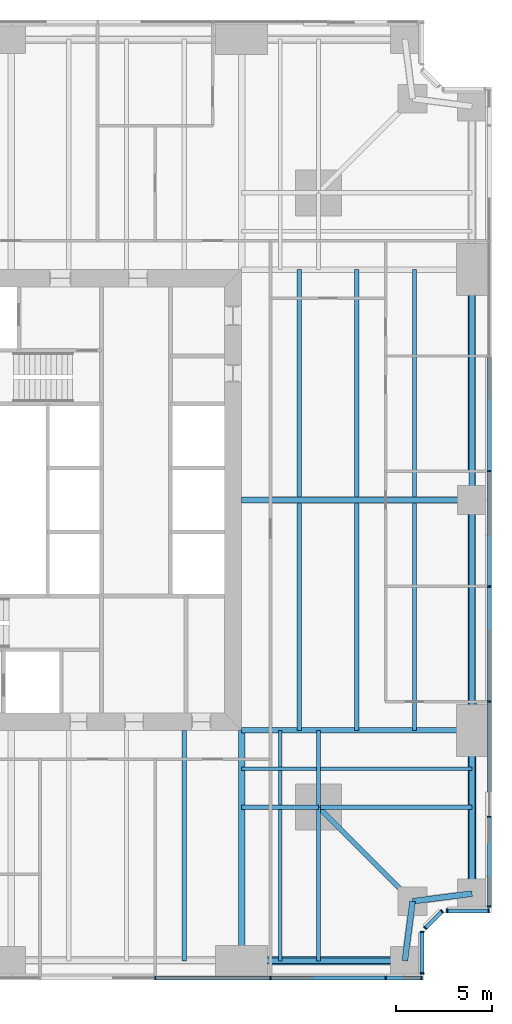
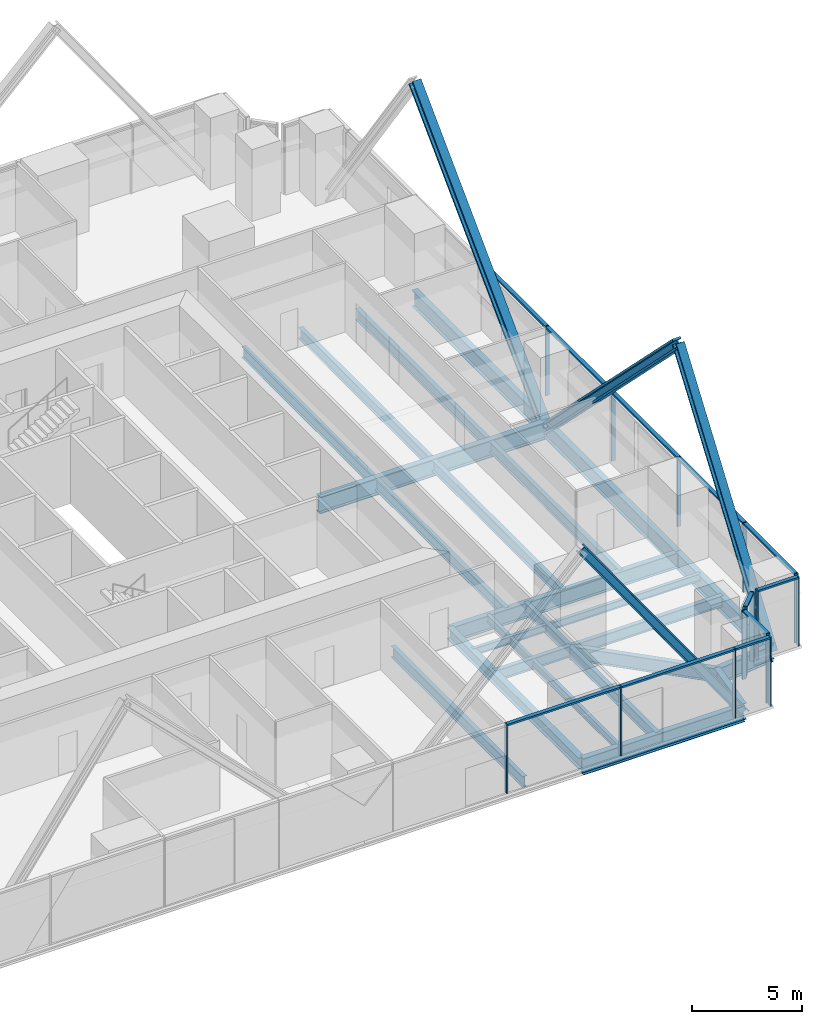
# One storey, part 5 of 13: 30 members, 26 beams, 5 elements without a shape of their own.
"""IFC4 building model written with IfcOpenShell, lengths in metres."""

from ifc_helpers import new_model, si_unit, direction, frame, origin, origin_2d, place, context, subcontext, project, spatial, rectangle, i_section, extrude, material, material_profile, profile_set, type_object, element, aggregate, save


model = new_model("IFC4")

# Units and contexts
model_context = context("Model", 3, precision=1e-05, world=origin(), true_north=direction((0.0, 1.0)))
body_context = subcontext(model_context, "Body", "Model", "MODEL_VIEW")
ifc_project = project(units=[si_unit("LENGTHUNIT", "METRE"), si_unit("AREAUNIT", "SQUARE_METRE"), si_unit("VOLUMEUNIT", "CUBIC_METRE"), si_unit("PLANEANGLEUNIT", "RADIAN"), si_unit("MASSUNIT", "GRAM", prefix="KILO")], contexts=[model_context])

# Site, building, storey
site_placement = place(None, origin())
site = spatial("IfcSite", under=ifc_project, at=site_placement, CompositionType="ELEMENT")
building_placement = place(site_placement, origin())
building = spatial("IfcBuilding", under=site, at=building_placement, Name="Fenwick Lantern Interchange", CompositionType="ELEMENT")
storey_placement = place(building_placement, frame((0.0, 0.0, 43.0)))
storey = spatial("IfcBuildingStorey", under=building, at=storey_placement, Name="L09", CompositionType="ELEMENT", Elevation=43.0)

# Beams
ifc_material_1 = material(Name="Steel ASTM A992 Grade 50", Category="steel")
ifc_material_profile_1 = material_profile(ifc_material_1, i_section(OverallWidth=0.3046875, OverallDepth=0.911865234375, WebThickness=0.015869140625, FlangeThickness=0.02392578125, at=origin_2d()), Name="W36X150")
ifc_profile_set_1 = profile_set([ifc_material_profile_1], Name="Steel ASTM A992 Grade 50")
beam_type_1 = type_object("IfcBeamType", Name="EDGE BEAM W36X150", PredefinedType="SPANDREL", material=ifc_profile_set_1)
beam_1_placement = place(storey_placement, frame((37.0, 1.0, -0.60595703125), z_axis=(1.0, 0.0, 0.0), x_axis=(0.0, 1.0, 0.0)))
element("IfcBeam", 1, at=beam_1_placement, inside=storey, type_object=beam_type_1, Name="L09/FR/S/EB4", PredefinedType="SPANDREL", context=body_context, shape_type="SweptSolid", body=[
    extrude(i_section(OverallWidth=0.3046875, OverallDepth=0.911865234375, WebThickness=0.015869140625, FlangeThickness=0.02392578125, at=origin_2d()), origin(), (0.0, 0.0, 1.0), 8.5),
])
for number, where, z_axis, x_axis, name in (
    (2, (45.5, 1.0, -0.60595703125), (0.127936641807, 0.991782342897, 0.0), (-0.991782342897, 0.127936641807, 0.0), "L09/FR/S/EBR1"),
    (3, (45.89990234375, 4.10009765625, -0.60595703125), (0.991782342897, 0.127936641807, 0.0), (-0.127936641807, 0.991782342897, 0.0), "L09/FR/S/EBR2"),
):
    element("IfcBeam", number, at=place(storey_placement, frame(where, z_axis=z_axis, x_axis=x_axis)), inside=storey, type_object=beam_type_1, Name=name, PredefinedType="SPANDREL", context=body_context, shape_type="SweptSolid", body=[
        extrude(i_section(OverallWidth=0.3046875, OverallDepth=0.911865234375, WebThickness=0.015869140625, FlangeThickness=0.02392578125, at=origin_2d()), origin(), (0.0, 0.0, 1.0), 3.125732421875),
    ])
beam_2_placement = place(storey_placement, frame((49.0, 4.5, -0.60595703125), z_axis=(0.0, 1.0, 0.0), x_axis=(-1.0, 0.0, 0.0)))
element("IfcBeam", 4, at=beam_2_placement, inside=storey, type_object=beam_type_1, Name="L09/FR/E/EB1", PredefinedType="SPANDREL", context=body_context, shape_type="SweptSolid", body=[
    extrude(i_section(OverallWidth=0.3046875, OverallDepth=0.911865234375, WebThickness=0.015869140625, FlangeThickness=0.02392578125, at=origin_2d()), origin(), (0.0, 0.0, 1.0), 8.5),
])
for number, where, z_axis, x_axis, name in (
    (5, (49.0, 13.0, -0.60595703125), (0.0, 1.0, 0.0), (-1.0, 0.0, 0.0), "L09/FR/E/EB2"),
    (6, (49.0, 25.0, -0.60595703125), (0.0, 1.0, 0.0), (-1.0, 0.0, 0.0), "L09/FR/E/EB3"),
):
    element("IfcBeam", number, at=place(storey_placement, frame(where, z_axis=z_axis, x_axis=x_axis)), inside=storey, type_object=beam_type_1, Name=name, PredefinedType="SPANDREL", context=body_context, shape_type="SweptSolid", body=[
        extrude(i_section(OverallWidth=0.3046875, OverallDepth=0.911865234375, WebThickness=0.015869140625, FlangeThickness=0.02392578125, at=origin_2d()), origin(), (0.0, 0.0, 1.0), 12.0),
    ])

# Members
ifc_material_profile_2 = material_profile(ifc_material_1, i_section(OverallWidth=0.424072265625, OverallDepth=0.47509765625, WebThickness=0.0478515625, FlangeThickness=0.0771484375, at=origin_2d()), Name="W14X426")
ifc_profile_set_2 = profile_set([ifc_material_profile_2], Name="Steel ASTM A992 Grade 50")
member_type_1 = type_object("IfcMemberType", Name="FACADE BRACE W14X426", PredefinedType="BRACE", material=ifc_profile_set_2)
for number, where, z_axis, x_axis, name in (
    (7, (45.5, 1.0, -0.60595703125), (-0.57801734078, 0.0, 0.816024481102), (0.0, -1.0, 0.0), "L09/FB/S/BE"),
    (8, (49.0, 4.5, -0.60595703125), (0.0, 0.57801734078, 0.816024481102), (-1.0, 0.0, 0.0), "L09/FB/E/AE"),
):
    element("IfcMember", number, at=place(storey_placement, frame(where, z_axis=z_axis, x_axis=x_axis)), inside=storey, type_object=member_type_1, Name=name, PredefinedType="BRACE", context=body_context, shape_type="SweptSolid", body=[
        extrude(i_section(OverallWidth=0.424072265625, OverallDepth=0.47509765625, WebThickness=0.0478515625, FlangeThickness=0.0771484375, at=origin_2d()), origin(), (0.0, 0.0, 1.0), 14.705322265625),
    ])
ifc_material_profile_3 = material_profile(ifc_material_1, i_section(OverallWidth=0.44189453125, OverallDepth=0.53076171875, WebThickness=0.06591796875, FlangeThickness=0.105712890625, at=origin_2d()), Name="W14X605")
ifc_profile_set_3 = profile_set([ifc_material_profile_3], Name="Steel ASTM A992 Grade 50")
member_type_2 = type_object("IfcMemberType", Name="FACADE BRACE W14X605", PredefinedType="BRACE", material=ifc_profile_set_3)
for number, where, z_axis, x_axis, name in (
    (9, (49.0, 25.0, -0.60595703125), (0.0, -0.707106781187, 0.707106781187), (1.0, 0.0, 0.0), "L09/FB/E/A"),
    (10, (49.0, 25.0, -0.60595703125), (0.0, 0.707106781187, 0.707106781187), (-1.0, 0.0, 0.0), "L09/FB/E/B"),
):
    element("IfcMember", number, at=place(storey_placement, frame(where, z_axis=z_axis, x_axis=x_axis)), inside=storey, type_object=member_type_2, Name=name, PredefinedType="BRACE", context=body_context, shape_type="SweptSolid", body=[
        extrude(i_section(OverallWidth=0.44189453125, OverallDepth=0.53076171875, WebThickness=0.06591796875, FlangeThickness=0.105712890625, at=origin_2d()), origin(), (0.0, 0.0, 1.0), 16.970458984375),
    ])

# Beams
ifc_material_profile_4 = material_profile(ifc_material_1, i_section(OverallWidth=0.22900390625, OverallDepth=0.612060546875, WebThickness=0.011962890625, FlangeThickness=0.01953125, at=origin_2d()), Name="W24X84")
ifc_profile_set_4 = profile_set([ifc_material_profile_4], Name="Steel ASTM A992 Grade 50")
beam_type_2 = type_object("IfcBeamType", Name="FLOOR BEAM W24X84", PredefinedType="BEAM", material=ifc_profile_set_4)
beam_3_placement = place(storey_placement, frame((34.0, 1.0, -0.4560546875), z_axis=(0.0, 1.0, 0.0), x_axis=(-1.0, 0.0, 0.0)))
element("IfcBeam", 11, at=beam_3_placement, inside=storey, type_object=beam_type_2, Name="L09/FR/S/R08", PredefinedType="BEAM", context=body_context, shape_type="SweptSolid", body=[
    extrude(i_section(OverallWidth=0.22900390625, OverallDepth=0.612060546875, WebThickness=0.011962890625, FlangeThickness=0.01953125, at=origin_2d()), origin(), (0.0, 0.0, 1.0), 12.0),
])
for number, where, z_axis, x_axis, name in (
    (12, (46.0, 13.0, -0.4560546875), (0.0, 1.0, 0.0), (-1.0, 0.0, 0.0), "L09/FR/E/B01"),
    (13, (43.0, 13.0, -0.4560546875), (0.0, 1.0, 0.0), (-1.0, 0.0, 0.0), "L09/FR/E/B02"),
    (14, (40.0, 13.0, -0.4560546875), (0.0, 1.0, 0.0), (-1.0, 0.0, 0.0), "L09/FR/E/B03"),
    (15, (46.0, 25.155029296875, -0.4560546875), (0.0, 1.0, 0.0), (-1.0, 0.0, 0.0), "L09/FR/E/B04"),
    (16, (43.0, 25.155029296875, -0.4560546875), (0.0, 1.0, 0.0), (-1.0, 0.0, 0.0), "L09/FR/E/B05"),
    (17, (40.0, 25.155029296875, -0.4560546875), (0.0, 1.0, 0.0), (-1.0, 0.0, 0.0), "L09/FR/E/B06"),
):
    element("IfcBeam", number, at=place(storey_placement, frame(where, z_axis=z_axis, x_axis=x_axis)), inside=storey, type_object=beam_type_2, Name=name, PredefinedType="BEAM", context=body_context, shape_type="SweptSolid", body=[
        extrude(i_section(OverallWidth=0.22900390625, OverallDepth=0.612060546875, WebThickness=0.011962890625, FlangeThickness=0.01953125, at=origin_2d()), origin(), (0.0, 0.0, 1.0), 11.844970703125),
    ])
ifc_material_profile_5 = material_profile(ifc_material_1, i_section(OverallWidth=0.177734375, OverallDepth=0.406494140625, WebThickness=0.0078125, FlangeThickness=0.012939453125, at=origin_2d()), Name="W16X40")
ifc_profile_set_5 = profile_set([ifc_material_profile_5], Name="Steel ASTM A992 Grade 50")
beam_type_3 = type_object("IfcBeamType", Name="INFILL BEAM W16X40", PredefinedType="JOIST", material=ifc_profile_set_5)
beam_4_placement = place(storey_placement, frame((49.0, 11.0, -0.353271484375), z_axis=(-1.0, 0.0, 0.0), x_axis=(0.0, -1.0, 0.0)))
element("IfcBeam", 18, at=beam_4_placement, inside=storey, type_object=beam_type_3, Name="L09/FR/E/J1", PredefinedType="JOIST", context=body_context, shape_type="SweptSolid", body=[
    extrude(i_section(OverallWidth=0.177734375, OverallDepth=0.406494140625, WebThickness=0.0078125, FlangeThickness=0.012939453125, at=origin_2d()), origin(), (0.0, 0.0, 1.0), 7.885498046875),
])
beam_5_placement = place(storey_placement, frame((40.885498046875, 11.0, -0.353271484375), z_axis=(-1.0, 0.0, 0.0), x_axis=(0.0, -1.0, 0.0)))
element("IfcBeam", 19, at=beam_5_placement, inside=storey, type_object=beam_type_3, Name="L09/FR/E/J2", PredefinedType="JOIST", context=body_context, shape_type="SweptSolid", body=[
    extrude(i_section(OverallWidth=0.177734375, OverallDepth=0.406494140625, WebThickness=0.0078125, FlangeThickness=0.012939453125, at=origin_2d()), origin(), (0.0, 0.0, 1.0), 3.885498046875),
])
beam_6_placement = place(storey_placement, frame((39.0, 1.0, -0.353271484375), z_axis=(0.0, 1.0, 0.0), x_axis=(-1.0, 0.0, 0.0)))
element("IfcBeam", 20, at=beam_6_placement, inside=storey, type_object=beam_type_3, Name="L09/FR/E/J3", PredefinedType="JOIST", context=body_context, shape_type="SweptSolid", body=[
    extrude(i_section(OverallWidth=0.177734375, OverallDepth=0.406494140625, WebThickness=0.0078125, FlangeThickness=0.012939453125, at=origin_2d()), origin(), (0.0, 0.0, 1.0), 7.885498046875),
])
beam_7_placement = place(storey_placement, frame((39.0, 9.114501953125, -0.353271484375), z_axis=(0.0, 1.0, 0.0), x_axis=(-1.0, 0.0, 0.0)))
element("IfcBeam", 21, at=beam_7_placement, inside=storey, type_object=beam_type_3, Name="L09/FR/E/J4", PredefinedType="JOIST", context=body_context, shape_type="SweptSolid", body=[
    extrude(i_section(OverallWidth=0.177734375, OverallDepth=0.406494140625, WebThickness=0.0078125, FlangeThickness=0.012939453125, at=origin_2d()), origin(), (0.0, 0.0, 1.0), 1.796630859375),
])
beam_8_placement = place(storey_placement, frame((39.0, 11.0888671875, -0.353271484375), z_axis=(0.0, 1.0, 0.0), x_axis=(-1.0, 0.0, 0.0)))
element("IfcBeam", 22, at=beam_8_placement, inside=storey, type_object=beam_type_3, Name="L09/FR/E/J5", PredefinedType="JOIST", context=body_context, shape_type="SweptSolid", body=[
    extrude(i_section(OverallWidth=0.177734375, OverallDepth=0.406494140625, WebThickness=0.0078125, FlangeThickness=0.012939453125, at=origin_2d()), origin(), (0.0, 0.0, 1.0), 1.9111328125),
])
ifc_material_profile_6 = material_profile(ifc_material_1, i_section(OverallWidth=0.22900390625, OverallDepth=0.612060546875, WebThickness=0.011962890625, FlangeThickness=0.01953125, at=origin_2d()), Name="W24X84")
ifc_profile_set_6 = profile_set([ifc_material_profile_6], Name="Steel ASTM A992 Grade 50")
beam_type_4 = type_object("IfcBeamType", Name="MEGA COLUMN BEAM W24X84", PredefinedType="BEAM", material=ifc_profile_set_6)
for number, where, z_axis, x_axis, name in (
    (23, (41.0, 9.0, -0.4560546875), (1.0, 0.0, 0.0), (0.0, 1.0, 0.0), "L09/FR/E/MB1"),
    (24, (41.0, 9.0, -0.4560546875), (0.0, -1.0, 0.0), (1.0, 0.0, 0.0), "L09/FR/E/MB2"),
):
    element("IfcBeam", number, at=place(storey_placement, frame(where, z_axis=z_axis, x_axis=x_axis)), inside=storey, type_object=beam_type_4, Name=name, PredefinedType="BEAM", context=body_context, shape_type="SweptSolid", body=[
        extrude(i_section(OverallWidth=0.22900390625, OverallDepth=0.612060546875, WebThickness=0.011962890625, FlangeThickness=0.01953125, at=origin_2d()), origin(), (0.0, 0.0, 1.0), 8.0),
    ])
for number, where, z_axis, x_axis, name in (
    (25, (41.0, 9.0, -0.4560546875), (0.0, 1.0, 0.0), (-1.0, 0.0, 0.0), "L09/FR/E/MB3"),
    (26, (41.0, 9.0, -0.4560546875), (-1.0, 0.0, 0.0), (0.0, -1.0, 0.0), "L09/FR/E/MB4"),
):
    element("IfcBeam", number, at=place(storey_placement, frame(where, z_axis=z_axis, x_axis=x_axis)), inside=storey, type_object=beam_type_4, Name=name, PredefinedType="BEAM", context=body_context, shape_type="SweptSolid", body=[
        extrude(i_section(OverallWidth=0.22900390625, OverallDepth=0.612060546875, WebThickness=0.011962890625, FlangeThickness=0.01953125, at=origin_2d()), origin(), (0.0, 0.0, 1.0), 4.0),
    ])
ifc_material_profile_7 = material_profile(ifc_material_1, i_section(OverallWidth=0.32763671875, OverallDepth=0.622314453125, WebThickness=0.015380859375, FlangeThickness=0.0244140625, at=origin_2d()), Name="W24X131")
ifc_profile_set_7 = profile_set([ifc_material_profile_7], Name="Steel ASTM A992 Grade 50")
beam_type_5 = type_object("IfcBeamType", Name="MOMENT-CONNECTED GIRDER W24X131", PredefinedType="BEAM", material=ifc_profile_set_7)
beam_9_placement = place(storey_placement, frame((37.0, 1.0, -0.461181640625), z_axis=(0.0, 1.0, 0.0), x_axis=(-1.0, 0.0, 0.0)))
element("IfcBeam", 27, at=beam_9_placement, inside=storey, type_object=beam_type_5, Name="L09/FR/S/R09", PredefinedType="BEAM", context=body_context, shape_type="SweptSolid", body=[
    extrude(i_section(OverallWidth=0.32763671875, OverallDepth=0.622314453125, WebThickness=0.015380859375, FlangeThickness=0.0244140625, at=origin_2d()), origin(), (0.0, 0.0, 1.0), 12.0),
])
ifc_material_profile_8 = material_profile(ifc_material_1, i_section(OverallWidth=0.2919921875, OverallDepth=0.845703125, WebThickness=0.015380859375, FlangeThickness=0.0244140625, at=origin_2d()), Name="W33X141")
ifc_profile_set_8 = profile_set([ifc_material_profile_8], Name="Steel ASTM A992 Grade 50")
beam_type_6 = type_object("IfcBeamType", Name="MOMENT-CONNECTED GIRDER W33X141", PredefinedType="BEAM", material=ifc_profile_set_8)
beam_10_placement = place(storey_placement, frame((49.0, 13.0, -0.572998046875), z_axis=(-1.0, 0.0, 0.0), x_axis=(0.0, -1.0, 0.0)))
element("IfcBeam", 28, at=beam_10_placement, inside=storey, type_object=beam_type_6, Name="L09/FR/E/R01", PredefinedType="BEAM", context=body_context, shape_type="SweptSolid", body=[
    extrude(i_section(OverallWidth=0.2919921875, OverallDepth=0.845703125, WebThickness=0.015380859375, FlangeThickness=0.0244140625, at=origin_2d()), origin(), (0.0, 0.0, 1.0), 12.0),
])
ifc_material_profile_9 = material_profile(ifc_material_1, i_section(OverallWidth=0.309814453125, OverallDepth=0.949951171875, WebThickness=0.0244140625, FlangeThickness=0.0439453125, at=origin_2d()), Name="W36X256")
ifc_profile_set_9 = profile_set([ifc_material_profile_9], Name="Steel ASTM A992 Grade 50")
beam_type_7 = type_object("IfcBeamType", Name="MOMENT-CONNECTED GIRDER W36X256", PredefinedType="BEAM", material=ifc_profile_set_9)
beam_11_placement = place(storey_placement, frame((49.0, 25.0, -0.625), z_axis=(-1.0, 0.0, 0.0), x_axis=(0.0, -1.0, 0.0)))
element("IfcBeam", 29, at=beam_11_placement, inside=storey, type_object=beam_type_7, Name="L09/FR/E/R02", PredefinedType="BEAM", context=body_context, shape_type="SweptSolid", body=[
    extrude(i_section(OverallWidth=0.309814453125, OverallDepth=0.949951171875, WebThickness=0.0244140625, FlangeThickness=0.0439453125, at=origin_2d()), origin(), (0.0, 0.0, 1.0), 12.0),
])
ifc_material_profile_10 = material_profile(ifc_material_1, i_section(OverallWidth=0.2666015625, OverallDepth=0.7568359375, WebThickness=0.013916015625, FlangeThickness=0.019287109375, at=origin_2d()), Name="W30X108")
ifc_profile_set_10 = profile_set([ifc_material_profile_10], Name="Steel ASTM A992 Grade 50")
beam_type_8 = type_object("IfcBeamType", Name="NOTCH BEAM W30X108", PredefinedType="BEAM", material=ifc_profile_set_10)
beam_12_placement = place(storey_placement, frame((41.0, 9.0, -0.528564453125), z_axis=(0.707106781187, -0.707106781187, 0.0), x_axis=(0.707106781187, 0.707106781187, 0.0)))
element("IfcBeam", 30, at=beam_12_placement, inside=storey, type_object=beam_type_8, Name="L09/FR/E/TG", PredefinedType="BEAM", context=body_context, shape_type="SweptSolid", body=[
    extrude(i_section(OverallWidth=0.2666015625, OverallDepth=0.7568359375, WebThickness=0.013916015625, FlangeThickness=0.019287109375, at=origin_2d()), origin(), (0.0, 0.0, 1.0), 6.929443359375),
])

# Curtain wall, members
ifc_material_2 = material(Name="Aluminium curtain wall frame", Category="aluminium")
curtain_wall_type = type_object("IfcCurtainWallType", Name="OFFICE CURTAIN WALL", PredefinedType="USERDEFINED", material=ifc_material_2)
curtain_wall_1_placement = place(storey_placement, origin())
curtain_wall_1 = element("IfcCurtainWall", 31, at=curtain_wall_1_placement, inside=storey, type_object=curtain_wall_type, Name="Office curtain wall 01", ObjectType="OFFICE CURTAIN WALL", PredefinedType="USERDEFINED")
ifc_material_3 = material(Name="Aluminium extrusion", Category="aluminium")
ifc_material_profile_11 = material_profile(ifc_material_3, rectangle(XDim=0.199951171875, YDim=0.06494140625, at=origin_2d()), Name="OFFICE CURTAIN WALL MULLION 65 X 200")
ifc_profile_set_11 = profile_set([ifc_material_profile_11], Name="Aluminium extrusion")
member_type_3 = type_object("IfcMemberType", Name="OFFICE CURTAIN WALL MULLION 65 X 200", PredefinedType="MULLION", material=ifc_profile_set_11)
member_1_placement = place(storey_placement, frame((32.5, 0.10009765625, 0.0), z_axis=(0.0, 0.0, 1.0), x_axis=(0.0, 1.0, 0.0)))
member_1 = element("IfcMember", 32, at=member_1_placement, type_object=member_type_3, Name="L09/CW/01/M05", PredefinedType="MULLION", context=body_context, shape_type="SweptSolid", body=[
    extrude(rectangle(XDim=0.199951171875, YDim=0.06494140625, at=origin_2d()), origin(), (0.0, 0.0, 1.0), 3.85009765625),
])
member_2_placement = place(storey_placement, frame((38.5, 0.10009765625, 0.0), z_axis=(0.0, 0.0, 1.0), x_axis=(0.0, 1.0, 0.0)))
member_2 = element("IfcMember", 33, at=member_2_placement, type_object=member_type_3, Name="L09/CW/01/M06", PredefinedType="MULLION", context=body_context, shape_type="SweptSolid", body=[
    extrude(rectangle(XDim=0.199951171875, YDim=0.06494140625, at=origin_2d()), origin(), (0.0, 0.0, 1.0), 3.85009765625),
])
member_3_placement = place(storey_placement, frame((44.5, 0.10009765625, 0.0), z_axis=(0.0, 0.0, 1.0), x_axis=(0.0, 1.0, 0.0)))
member_3 = element("IfcMember", 34, at=member_3_placement, type_object=member_type_3, Name="L09/CW/01/M07", PredefinedType="MULLION", context=body_context, shape_type="SweptSolid", body=[
    extrude(rectangle(XDim=0.199951171875, YDim=0.06494140625, at=origin_2d()), origin(), (0.0, 0.0, 1.0), 3.85009765625),
])
member_4_placement = place(storey_placement, frame((46.367431640625, 0.10009765625, 0.0), z_axis=(0.0, 0.0, 1.0), x_axis=(0.0, 1.0, 0.0)))
member_4 = element("IfcMember", 35, at=member_4_placement, type_object=member_type_3, Name="L09/CW/01/M08", PredefinedType="MULLION", context=body_context, shape_type="SweptSolid", body=[
    extrude(rectangle(XDim=0.199951171875, YDim=0.06494140625, at=origin_2d()), origin(), (0.0, 0.0, 1.0), 3.85009765625),
])

curtain_wall_2_placement = place(storey_placement, origin())
curtain_wall_2 = element("IfcCurtainWall", 36, at=curtain_wall_2_placement, inside=storey, type_object=curtain_wall_type, Name="Office curtain wall 02", ObjectType="OFFICE CURTAIN WALL", PredefinedType="USERDEFINED")
member_5_placement = place(storey_placement, frame((46.39990234375, 0.33251953125, 0.0), z_axis=(0.0, 0.0, 1.0), x_axis=(-1.0, 0.0, 0.0)))
member_5 = element("IfcMember", 37, at=member_5_placement, type_object=member_type_3, Name="L09/CW/02/M00", PredefinedType="MULLION", context=body_context, shape_type="SweptSolid", body=[
    extrude(rectangle(XDim=0.199951171875, YDim=0.06494140625, at=origin_2d()), origin(), (0.0, 0.0, 1.0), 3.85009765625),
])
member_6_placement = place(storey_placement, frame((46.39990234375, 2.509033203125, 0.0), z_axis=(0.0, 0.0, 1.0), x_axis=(-1.0, 0.0, 0.0)))
member_6 = element("IfcMember", 38, at=member_6_placement, type_object=member_type_3, Name="L09/CW/02/M01", PredefinedType="MULLION", context=body_context, shape_type="SweptSolid", body=[
    extrude(rectangle(XDim=0.199951171875, YDim=0.06494140625, at=origin_2d()), origin(), (0.0, 0.0, 1.0), 3.85009765625),
])

curtain_wall_3_placement = place(storey_placement, origin())
curtain_wall_3 = element("IfcCurtainWall", 39, at=curtain_wall_3_placement, inside=storey, type_object=curtain_wall_type, Name="Office curtain wall 03", ObjectType="OFFICE CURTAIN WALL", PredefinedType="USERDEFINED")
member_7_placement = place(storey_placement, frame((46.564453125, 2.705810546875, 0.0), z_axis=(0.0, 0.0, 1.0), x_axis=(-0.707106781187, 0.707106781187, 0.0)))
member_7 = element("IfcMember", 40, at=member_7_placement, type_object=member_type_3, Name="L09/CW/03/M00", PredefinedType="MULLION", context=body_context, shape_type="SweptSolid", body=[
    extrude(rectangle(XDim=0.199951171875, YDim=0.06494140625, at=origin_2d()), origin(), (0.0, 0.0, 1.0), 3.85009765625),
])
member_8_placement = place(storey_placement, frame((47.435546875, 3.576904296875, 0.0), z_axis=(0.0, 0.0, 1.0), x_axis=(-0.707106781187, 0.707106781187, 0.0)))
member_8 = element("IfcMember", 41, at=member_8_placement, type_object=member_type_3, Name="L09/CW/03/M01", PredefinedType="MULLION", context=body_context, shape_type="SweptSolid", body=[
    extrude(rectangle(XDim=0.199951171875, YDim=0.06494140625, at=origin_2d()), origin(), (0.0, 0.0, 1.0), 3.85009765625),
])

curtain_wall_4_placement = place(storey_placement, origin())
curtain_wall_4 = element("IfcCurtainWall", 42, at=curtain_wall_4_placement, inside=storey, type_object=curtain_wall_type, Name="Office curtain wall 04", ObjectType="OFFICE CURTAIN WALL", PredefinedType="USERDEFINED")
member_9_placement = place(storey_placement, frame((47.691162109375, 3.60009765625, 0.0), z_axis=(0.0, 0.0, 1.0), x_axis=(0.0, 1.0, 0.0)))
member_9 = element("IfcMember", 43, at=member_9_placement, type_object=member_type_3, Name="L09/CW/04/M00", PredefinedType="MULLION", context=body_context, shape_type="SweptSolid", body=[
    extrude(rectangle(XDim=0.199951171875, YDim=0.06494140625, at=origin_2d()), origin(), (0.0, 0.0, 1.0), 3.85009765625),
])
member_10_placement = place(storey_placement, frame((49.867431640625, 3.60009765625, 0.0), z_axis=(0.0, 0.0, 1.0), x_axis=(0.0, 1.0, 0.0)))
member_10 = element("IfcMember", 44, at=member_10_placement, type_object=member_type_3, Name="L09/CW/04/M01", PredefinedType="MULLION", context=body_context, shape_type="SweptSolid", body=[
    extrude(rectangle(XDim=0.199951171875, YDim=0.06494140625, at=origin_2d()), origin(), (0.0, 0.0, 1.0), 3.85009765625),
])

curtain_wall_5_placement = place(storey_placement, origin())
curtain_wall_5 = element("IfcCurtainWall", 45, at=curtain_wall_5_placement, inside=storey, type_object=curtain_wall_type, Name="Office curtain wall 05", ObjectType="OFFICE CURTAIN WALL", PredefinedType="USERDEFINED")
member_11_placement = place(storey_placement, frame((49.89990234375, 3.83251953125, 0.0), z_axis=(0.0, 0.0, 1.0), x_axis=(-1.0, 0.0, 0.0)))
member_11 = element("IfcMember", 46, at=member_11_placement, type_object=member_type_3, Name="L09/CW/05/M00", PredefinedType="MULLION", context=body_context, shape_type="SweptSolid", body=[
    extrude(rectangle(XDim=0.199951171875, YDim=0.06494140625, at=origin_2d()), origin(), (0.0, 0.0, 1.0), 3.85009765625),
])
member_12_placement = place(storey_placement, frame((49.89990234375, 8.5, 0.0), z_axis=(0.0, 0.0, 1.0), x_axis=(-1.0, 0.0, 0.0)))
member_12 = element("IfcMember", 47, at=member_12_placement, type_object=member_type_3, Name="L09/CW/05/M01", PredefinedType="MULLION", context=body_context, shape_type="SweptSolid", body=[
    extrude(rectangle(XDim=0.199951171875, YDim=0.06494140625, at=origin_2d()), origin(), (0.0, 0.0, 1.0), 3.85009765625),
])
member_13_placement = place(storey_placement, frame((49.89990234375, 14.5, 0.0), z_axis=(0.0, 0.0, 1.0), x_axis=(-1.0, 0.0, 0.0)))
member_13 = element("IfcMember", 48, at=member_13_placement, type_object=member_type_3, Name="L09/CW/05/M02", PredefinedType="MULLION", context=body_context, shape_type="SweptSolid", body=[
    extrude(rectangle(XDim=0.199951171875, YDim=0.06494140625, at=origin_2d()), origin(), (0.0, 0.0, 1.0), 3.85009765625),
])
member_14_placement = place(storey_placement, frame((49.89990234375, 20.5, 0.0), z_axis=(0.0, 0.0, 1.0), x_axis=(-1.0, 0.0, 0.0)))
member_14 = element("IfcMember", 49, at=member_14_placement, type_object=member_type_3, Name="L09/CW/05/M03", PredefinedType="MULLION", context=body_context, shape_type="SweptSolid", body=[
    extrude(rectangle(XDim=0.199951171875, YDim=0.06494140625, at=origin_2d()), origin(), (0.0, 0.0, 1.0), 3.85009765625),
])
member_15_placement = place(storey_placement, frame((49.89990234375, 26.5, 0.0), z_axis=(0.0, 0.0, 1.0), x_axis=(-1.0, 0.0, 0.0)))
member_15 = element("IfcMember", 50, at=member_15_placement, type_object=member_type_3, Name="L09/CW/05/M04", PredefinedType="MULLION", context=body_context, shape_type="SweptSolid", body=[
    extrude(rectangle(XDim=0.199951171875, YDim=0.06494140625, at=origin_2d()), origin(), (0.0, 0.0, 1.0), 3.85009765625),
])

# Member
ifc_material_profile_12 = material_profile(ifc_material_3, rectangle(XDim=0.199951171875, YDim=0.10009765625, at=origin_2d()), Name="OFFICE CURTAIN WALL TRANSOM 100 X 200")
ifc_profile_set_12 = profile_set([ifc_material_profile_12], Name="Aluminium extrusion")
member_type_4 = type_object("IfcMemberType", Name="OFFICE CURTAIN WALL TRANSOM 100 X 200", PredefinedType="MULLION", material=ifc_profile_set_12)
member_16_placement = place(storey_placement, frame((32.532470703125, 0.10009765625, 3.800048828125), z_axis=(1.0, 0.0, 0.0), x_axis=(0.0, 1.0, 0.0)))
member_16 = element("IfcMember", 51, at=member_16_placement, type_object=member_type_4, Name="L09/CW/01/T05", PredefinedType="MULLION", context=body_context, shape_type="SweptSolid", body=[
    extrude(rectangle(XDim=0.199951171875, YDim=0.10009765625, at=origin_2d()), origin(), (0.0, 0.0, 1.0), 5.93505859375),
])

member_17_placement = place(storey_placement, frame((38.532470703125, 0.10009765625, 3.800048828125), z_axis=(1.0, 0.0, 0.0), x_axis=(0.0, 1.0, 0.0)))
member_17 = element("IfcMember", 52, at=member_17_placement, type_object=member_type_4, Name="L09/CW/01/T06", PredefinedType="MULLION", context=body_context, shape_type="SweptSolid", body=[
    extrude(rectangle(XDim=0.199951171875, YDim=0.10009765625, at=origin_2d()), origin(), (0.0, 0.0, 1.0), 5.93505859375),
])

member_18_placement = place(storey_placement, frame((44.532470703125, 0.10009765625, 3.800048828125), z_axis=(1.0, 0.0, 0.0), x_axis=(0.0, 1.0, 0.0)))
member_18 = element("IfcMember", 53, at=member_18_placement, type_object=member_type_4, Name="L09/CW/01/T07", PredefinedType="MULLION", context=body_context, shape_type="SweptSolid", body=[
    extrude(rectangle(XDim=0.199951171875, YDim=0.10009765625, at=origin_2d()), origin(), (0.0, 0.0, 1.0), 1.802490234375),
])

aggregate(curtain_wall_1, [member_1, member_2, member_3, member_4, member_16, member_17, member_18])

member_19_placement = place(storey_placement, frame((46.39990234375, 0.364990234375, 3.800048828125), z_axis=(0.0, 1.0, 0.0), x_axis=(-1.0, 0.0, 0.0)))
member_19 = element("IfcMember", 54, at=member_19_placement, type_object=member_type_4, Name="L09/CW/02/T00", PredefinedType="MULLION", context=body_context, shape_type="SweptSolid", body=[
    extrude(rectangle(XDim=0.199951171875, YDim=0.10009765625, at=origin_2d()), origin(), (0.0, 0.0, 1.0), 2.111328125),
])

aggregate(curtain_wall_2, [member_5, member_6, member_19])

member_20_placement = place(storey_placement, frame((46.58740234375, 2.728759765625, 3.800048828125), z_axis=(0.707106781187, 0.707106781187, 0.0), x_axis=(-0.707106781187, 0.707106781187, 0.0)))
member_20 = element("IfcMember", 55, at=member_20_placement, type_object=member_type_4, Name="L09/CW/03/T00", PredefinedType="MULLION", context=body_context, shape_type="SweptSolid", body=[
    extrude(rectangle(XDim=0.199951171875, YDim=0.10009765625, at=origin_2d()), origin(), (0.0, 0.0, 1.0), 1.1669921875),
])

aggregate(curtain_wall_3, [member_7, member_8, member_20])

member_21_placement = place(storey_placement, frame((47.7236328125, 3.60009765625, 3.800048828125), z_axis=(1.0, 0.0, 0.0), x_axis=(0.0, 1.0, 0.0)))
member_21 = element("IfcMember", 56, at=member_21_placement, type_object=member_type_4, Name="L09/CW/04/T00", PredefinedType="MULLION", context=body_context, shape_type="SweptSolid", body=[
    extrude(rectangle(XDim=0.199951171875, YDim=0.10009765625, at=origin_2d()), origin(), (0.0, 0.0, 1.0), 2.111328125),
])

aggregate(curtain_wall_4, [member_9, member_10, member_21])

member_22_placement = place(storey_placement, frame((49.89990234375, 3.864990234375, 3.800048828125), z_axis=(0.0, 1.0, 0.0), x_axis=(-1.0, 0.0, 0.0)))
member_22 = element("IfcMember", 57, at=member_22_placement, type_object=member_type_4, Name="L09/CW/05/T00", PredefinedType="MULLION", context=body_context, shape_type="SweptSolid", body=[
    extrude(rectangle(XDim=0.199951171875, YDim=0.10009765625, at=origin_2d()), origin(), (0.0, 0.0, 1.0), 4.6025390625),
])

member_23_placement = place(storey_placement, frame((49.89990234375, 8.532470703125, 3.800048828125), z_axis=(0.0, 1.0, 0.0), x_axis=(-1.0, 0.0, 0.0)))
member_23 = element("IfcMember", 58, at=member_23_placement, type_object=member_type_4, Name="L09/CW/05/T01", PredefinedType="MULLION", context=body_context, shape_type="SweptSolid", body=[
    extrude(rectangle(XDim=0.199951171875, YDim=0.10009765625, at=origin_2d()), origin(), (0.0, 0.0, 1.0), 5.93505859375),
])

member_24_placement = place(storey_placement, frame((49.89990234375, 14.532470703125, 3.800048828125), z_axis=(0.0, 1.0, 0.0), x_axis=(-1.0, 0.0, 0.0)))
member_24 = element("IfcMember", 59, at=member_24_placement, type_object=member_type_4, Name="L09/CW/05/T02", PredefinedType="MULLION", context=body_context, shape_type="SweptSolid", body=[
    extrude(rectangle(XDim=0.199951171875, YDim=0.10009765625, at=origin_2d()), origin(), (0.0, 0.0, 1.0), 5.93505859375),
])

member_25_placement = place(storey_placement, frame((49.89990234375, 20.532470703125, 3.800048828125), z_axis=(0.0, 1.0, 0.0), x_axis=(-1.0, 0.0, 0.0)))
member_25 = element("IfcMember", 60, at=member_25_placement, type_object=member_type_4, Name="L09/CW/05/T03", PredefinedType="MULLION", context=body_context, shape_type="SweptSolid", body=[
    extrude(rectangle(XDim=0.199951171875, YDim=0.10009765625, at=origin_2d()), origin(), (0.0, 0.0, 1.0), 5.93505859375),
])

member_26_placement = place(storey_placement, frame((49.89990234375, 26.532470703125, 3.800048828125), z_axis=(0.0, 1.0, 0.0), x_axis=(-1.0, 0.0, 0.0)))
member_26 = element("IfcMember", 61, at=member_26_placement, type_object=member_type_4, Name="L09/CW/05/T04", PredefinedType="MULLION", context=body_context, shape_type="SweptSolid", body=[
    extrude(rectangle(XDim=0.199951171875, YDim=0.10009765625, at=origin_2d()), origin(), (0.0, 0.0, 1.0), 5.93505859375),
])

aggregate(curtain_wall_5, [member_11, member_12, member_13, member_14, member_15, member_22, member_23, member_24, member_25, member_26])

save(model, "model.ifc")
